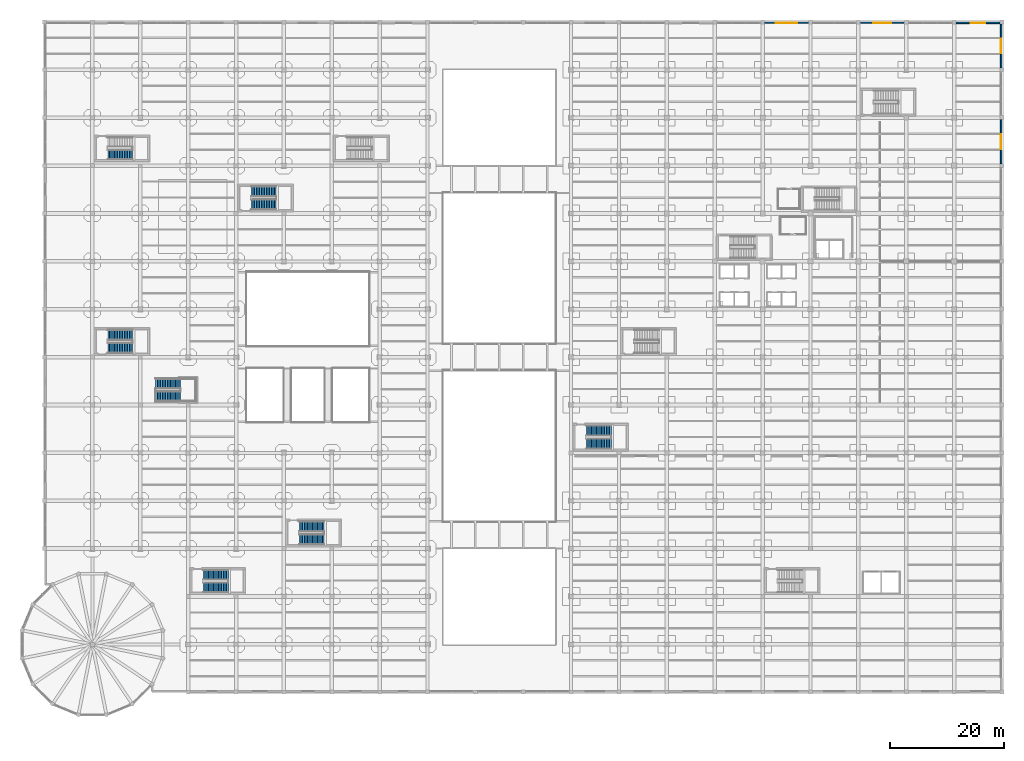
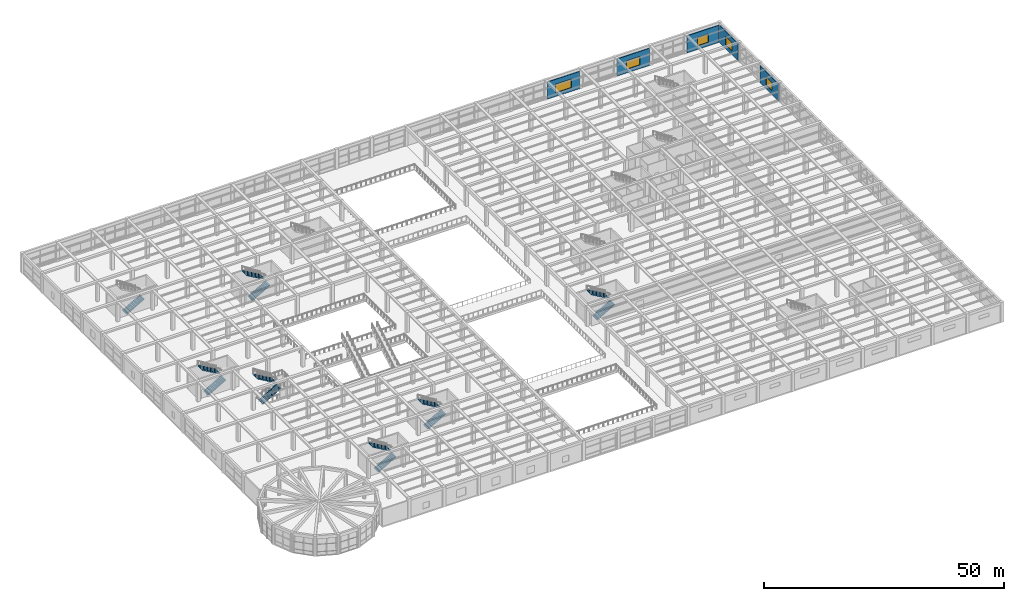
# One storey, part 83 of 95: 13 stair flights, 5 walls, 5 windows, 5 openings, 7 elements without a shape of their own.
"""IFC4 building model written with IfcOpenShell, lengths in metres."""

from ifc_helpers import new_model, si_unit, direction, frame, frame_2d, origin, place, context, subcontext, project, spatial, polyline, rectangle, outline, extrude, material, layer, layer_set, type_object, element, fill, aggregate, save


model = new_model("IFC4")

# Units and contexts
model_context = context("Model", 3, precision=1e-05, world=origin(), true_north=direction((0.0, 1.0)))
body_context = subcontext(model_context, "Body", "Model", "MODEL_VIEW")
ifc_project = project(units=[si_unit("LENGTHUNIT", "METRE"), si_unit("AREAUNIT", "SQUARE_METRE"), si_unit("VOLUMEUNIT", "CUBIC_METRE"), si_unit("PLANEANGLEUNIT", "RADIAN"), si_unit("MASSUNIT", "GRAM", prefix="KILO")], contexts=[model_context])

# Site, building, storey
site_placement = place(None, origin())
site = spatial("IfcSite", under=ifc_project, at=site_placement, CompositionType="ELEMENT")
building_placement = place(site_placement, origin())
building = spatial("IfcBuilding", under=site, at=building_placement, Name="Almacenes y Pasaje Nevantli", CompositionType="ELEMENT")
storey_placement = place(building_placement, frame((0.0, 0.0, 11.39990234375)))
storey = spatial("IfcBuildingStorey", under=building, at=storey_placement, Name="L03", CompositionType="ELEMENT", Elevation=11.39990234375)

# Wall, opening, window
ifc_material_1 = material(Name="Cream Architectural Precast Concrete C35/45 Wall", Category="concrete")
ifc_layer_1 = layer(ifc_material_1, 0.260009765625)
ifc_layer_set_1 = layer_set([ifc_layer_1], Name="Cream Architectural Precast Concrete C35/45 Wall")
wall_type = type_object("IfcWallType", Name="WL-EXT-PRECAST-260", PredefinedType="SOLIDWALL", material=ifc_layer_set_1)
wall_1_placement = place(storey_placement, frame((126.327880859375, 117.449951171875, 0.0), z_axis=(0.0, 0.0, 1.0), x_axis=(1.0, 0.0, 0.0)))
wall_1 = element("IfcWall", 1, at=wall_1_placement, inside=storey, type_object=wall_type, Name="L03 North Boulevard Cantera Spandrel Wall Bay 16", PredefinedType="SOLIDWALL", context=body_context, shape_type="SweptSolid", body=[
    extrude(rectangle(XDim=7.72021484375, YDim=0.260009765625, at=frame_2d((3.860107421875, 0.0))), origin(), (0.0, 0.0, 1.0), 4.380126953125),
])
opening_1_placement = place(wall_1_placement, frame((1.971923828125, 0.0, 0.949951171875)))
opening_1 = element("IfcOpeningElement", 2, at=opening_1_placement, cuts=wall_1, Name="Opening WT-09-096", PredefinedType="OPENING", context=body_context, shape_type="SweptSolid", body=[
    extrude(rectangle(XDim=3.800048828125, YDim=2.199951171875, at=frame_2d((1.89990234375, 1.10009765625))), frame((0.0, 0.139892578125, 0.0), z_axis=(0.0, -1.0, 0.0), x_axis=(1.0, 0.0, 0.0)), (0.0, 0.0, 1.0), 0.280029296875),
])
ifc_material_2 = material(Name="Thermally Broken Aluminium and Low-E Double Glazing", Category="aluminium")
window_type_1 = type_object("IfcWindowType", Name="WN-POD-3800x2200", PartitioningType="SINGLE_PANEL", PredefinedType="WINDOW", material=ifc_material_2)
window_1_placement = place(opening_1_placement, origin())
window_1 = element("IfcWindow", 3, at=window_1_placement, inside=storey, type_object=window_type_1, Name="L03 Exterior Window WT-09 #96", OverallHeight=2.199951171875, OverallWidth=3.800048828125, PartitioningType="SINGLE_PANEL", PredefinedType="WINDOW", context=body_context, shape_type="SweptSolid", body=[
    extrude(rectangle(XDim=3.800048828125, YDim=2.199951171875, at=frame_2d((1.89990234375, 1.10009765625))), frame((0.0, 0.030029296875, 0.0), z_axis=(0.0, -1.0, 0.0), x_axis=(1.0, 0.0, 0.0)), (0.0, 0.0, 1.0), 0.06005859375),
])
fill(opening_1, window_1)

wall_2_placement = place(storey_placement, frame((143.1279296875, 117.449951171875, 0.0), z_axis=(0.0, 0.0, 1.0), x_axis=(1.0, 0.0, 0.0)))
wall_2 = element("IfcWall", 4, at=wall_2_placement, inside=storey, type_object=wall_type, Name="L03 North Boulevard Cantera Spandrel Wall Bay 18", PredefinedType="SOLIDWALL", context=body_context, shape_type="SweptSolid", body=[
    extrude(rectangle(XDim=7.718017578125, YDim=0.260009765625, at=frame_2d((3.85888671875, 0.0))), origin(), (0.0, 0.0, 1.0), 4.380126953125),
])
opening_2_placement = place(wall_2_placement, frame((2.27197265625, 0.0, 0.949951171875)))
opening_2 = element("IfcOpeningElement", 5, at=opening_2_placement, cuts=wall_2, Name="Opening WT-11-097", PredefinedType="OPENING", context=body_context, shape_type="SweptSolid", body=[
    extrude(rectangle(XDim=3.199951171875, YDim=2.14990234375, at=frame_2d((1.60009765625, 1.074951171875))), frame((0.0, 0.139892578125, 0.0), z_axis=(0.0, -1.0, 0.0), x_axis=(1.0, 0.0, 0.0)), (0.0, 0.0, 1.0), 0.280029296875),
])
ifc_material_3 = material(Name="Thermally Broken Aluminium and Low-E Double Glazing", Category="aluminium")
window_type_2 = type_object("IfcWindowType", Name="WN-POD-3200x2150", PartitioningType="SINGLE_PANEL", PredefinedType="WINDOW", material=ifc_material_3)
window_2_placement = place(opening_2_placement, origin())
window_2 = element("IfcWindow", 6, at=window_2_placement, inside=storey, type_object=window_type_2, Name="L03 Exterior Window WT-11 #97", OverallHeight=2.14990234375, OverallWidth=3.199951171875, PartitioningType="SINGLE_PANEL", PredefinedType="WINDOW", context=body_context, shape_type="SweptSolid", body=[
    extrude(rectangle(XDim=3.199951171875, YDim=2.14990234375, at=frame_2d((1.60009765625, 1.074951171875))), frame((0.0, 0.030029296875, 0.0), z_axis=(0.0, -1.0, 0.0), x_axis=(1.0, 0.0, 0.0)), (0.0, 0.0, 1.0), 0.06005859375),
])
fill(opening_2, window_2)

wall_3_placement = place(storey_placement, frame((159.927978515625, 117.449951171875, 0.0), z_axis=(0.0, 0.0, 1.0), x_axis=(1.0, 0.0, 0.0)))
wall_3 = element("IfcWall", 7, at=wall_3_placement, inside=storey, type_object=wall_type, Name="L03 North Boulevard Cantera Spandrel Wall Bay 20", PredefinedType="SOLIDWALL", context=body_context, shape_type="SweptSolid", body=[
    extrude(rectangle(XDim=7.718017578125, YDim=0.260009765625, at=frame_2d((3.85888671875, 0.0))), origin(), (0.0, 0.0, 1.0), 4.380126953125),
])
opening_3_placement = place(wall_3_placement, frame((2.572021484375, 0.0, 0.949951171875)))
opening_3 = element("IfcOpeningElement", 8, at=opening_3_placement, cuts=wall_3, Name="Opening WT-13-098", PredefinedType="OPENING", context=body_context, shape_type="SweptSolid", body=[
    extrude(rectangle(XDim=2.60009765625, YDim=2.10009765625, at=frame_2d((1.300048828125, 1.050048828125))), frame((0.0, 0.139892578125, 0.0), z_axis=(0.0, -1.0, 0.0), x_axis=(1.0, 0.0, 0.0)), (0.0, 0.0, 1.0), 0.280029296875),
])
ifc_material_4 = material(Name="Thermally Broken Aluminium and Low-E Double Glazing", Category="aluminium")
window_type_3 = type_object("IfcWindowType", Name="WN-POD-2600x2100", PartitioningType="SINGLE_PANEL", PredefinedType="WINDOW", material=ifc_material_4)
window_3_placement = place(opening_3_placement, origin())
window_3 = element("IfcWindow", 9, at=window_3_placement, inside=storey, type_object=window_type_3, Name="L03 Exterior Window WT-13 #98", OverallHeight=2.10009765625, OverallWidth=2.60009765625, PartitioningType="SINGLE_PANEL", PredefinedType="WINDOW", context=body_context, shape_type="SweptSolid", body=[
    extrude(rectangle(XDim=2.60009765625, YDim=2.10009765625, at=frame_2d((1.300048828125, 1.050048828125))), frame((0.0, 0.030029296875, 0.0), z_axis=(0.0, -1.0, 0.0), x_axis=(1.0, 0.0, 0.0)), (0.0, 0.0, 1.0), 0.06005859375),
])
fill(opening_3, window_3)

wall_4_placement = place(storey_placement, frame((167.85009765625, 92.72802734375, 0.0), z_axis=(0.0, 0.0, 1.0), x_axis=(0.0, 1.0, 0.0)))
wall_4 = element("IfcWall", 10, at=wall_4_placement, inside=storey, type_object=wall_type, Name="L03 East Facade Wall Bay 12", PredefinedType="SOLIDWALL", context=body_context, shape_type="SweptSolid", body=[
    extrude(rectangle(XDim=7.719970703125, YDim=0.260009765625, at=frame_2d((3.85986328125, 0.0))), origin(), (0.0, 0.0, 1.0), 4.380126953125),
])
opening_4_placement = place(wall_4_placement, frame((2.572021484375, 0.0, 1.0)))
opening_4 = element("IfcOpeningElement", 11, at=opening_4_placement, cuts=wall_4, Name="Opening WT-13-126", PredefinedType="OPENING", context=body_context, shape_type="SweptSolid", body=[
    extrude(rectangle(XDim=2.60009765625, YDim=2.10009765625, at=frame_2d((1.300048828125, 1.050048828125))), frame((0.0, 0.139892578125, 0.0), z_axis=(0.0, -1.0, 0.0), x_axis=(1.0, 0.0, 0.0)), (0.0, 0.0, 1.0), 0.280029296875),
])
window_4_placement = place(opening_4_placement, origin())
window_4 = element("IfcWindow", 12, at=window_4_placement, inside=storey, type_object=window_type_3, Name="L03 Exterior Window WT-13 #126", OverallHeight=2.10009765625, OverallWidth=2.60009765625, PartitioningType="SINGLE_PANEL", PredefinedType="WINDOW", context=body_context, shape_type="SweptSolid", body=[
    extrude(rectangle(XDim=2.60009765625, YDim=2.10009765625, at=frame_2d((1.300048828125, 1.050048828125))), frame((0.0, 0.030029296875, 0.0), z_axis=(0.0, -1.0, 0.0), x_axis=(1.0, 0.0, 0.0)), (0.0, 0.0, 1.0), 0.06005859375),
])
fill(opening_4, window_4)

wall_5_placement = place(storey_placement, frame((167.85009765625, 109.528076171875, 0.0), z_axis=(0.0, 0.0, 1.0), x_axis=(0.0, 1.0, 0.0)))
wall_5 = element("IfcWall", 13, at=wall_5_placement, inside=storey, type_object=wall_type, Name="L03 East Facade Wall Bay 14", PredefinedType="SOLIDWALL", context=body_context, shape_type="SweptSolid", body=[
    extrude(rectangle(XDim=7.718017578125, YDim=0.260009765625, at=frame_2d((3.85888671875, 0.0))), origin(), (0.0, 0.0, 1.0), 4.380126953125),
])
opening_5_placement = place(wall_5_placement, frame((2.572021484375, 0.0, 1.0)))
opening_5 = element("IfcOpeningElement", 14, at=opening_5_placement, cuts=wall_5, Name="Opening WT-13-127", PredefinedType="OPENING", context=body_context, shape_type="SweptSolid", body=[
    extrude(rectangle(XDim=2.60009765625, YDim=2.10009765625, at=frame_2d((1.300048828125, 1.050048828125))), frame((0.0, 0.139892578125, 0.0), z_axis=(0.0, -1.0, 0.0), x_axis=(1.0, 0.0, 0.0)), (0.0, 0.0, 1.0), 0.280029296875),
])
window_5_placement = place(opening_5_placement, origin())
window_5 = element("IfcWindow", 15, at=window_5_placement, inside=storey, type_object=window_type_3, Name="L03 Exterior Window WT-13 #127", OverallHeight=2.10009765625, OverallWidth=2.60009765625, PartitioningType="SINGLE_PANEL", PredefinedType="WINDOW", context=body_context, shape_type="SweptSolid", body=[
    extrude(rectangle(XDim=2.60009765625, YDim=2.10009765625, at=frame_2d((1.300048828125, 1.050048828125))), frame((0.0, 0.030029296875, 0.0), z_axis=(0.0, -1.0, 0.0), x_axis=(1.0, 0.0, 0.0)), (0.0, 0.0, 1.0), 0.06005859375),
])
fill(opening_5, window_5)

# Stair, stair flight
ifc_material_5 = material(Name="Concrete C35/45", Category="concrete")
stair_type_1 = type_object("IfcStairType", Name="STR-CORE-1750", PredefinedType="HALF_TURN_STAIR", material=ifc_material_5)
stair_1_placement = place(storey_placement, origin())
stair_1 = element("IfcStair", 16, at=stair_1_placement, inside=storey, type_object=stair_type_1, Name="L03 Staircase ST-03", PredefinedType="HALF_TURN_STAIR")
ifc_material_6 = material(Name="Concrete C35/45", Category="concrete")
ifc_layer_2 = layer(ifc_material_6, 0.199951171875)
ifc_layer_set_2 = layer_set([ifc_layer_2], Name="Concrete C35/45")
stair_flight_type = type_object("IfcStairFlightType", Name="SFL-RC-200", PredefinedType="STRAIGHT", material=ifc_layer_set_2)
stair_flight_1_placement = place(storey_placement, frame((11.10009765625, 94.324951171875, 0.0), z_axis=(0.0, 0.0, 1.0), x_axis=(1.0, 0.0, 0.0)))
stair_flight_1 = element("IfcStairFlight", 17, at=stair_flight_1_placement, type_object=stair_flight_type, Name="ST-03-L03 flight 1", NumberOfRisers=16, NumberOfTreads=15, PredefinedType="STRAIGHT", RiserHeight=0.16875, TreadLength=0.29, context=body_context, shape_type="SweptSolid", body=[
    extrude(outline(polyline([(0.0, 0.0), (0.0, 0.168701171875), (0.2900390625, 0.168701171875), (0.2900390625, 0.33740234375), (0.580078125, 0.33740234375), (0.580078125, 0.50634765625), (0.8701171875, 0.50634765625), (0.8701171875, 0.675048828125), (1.159912109375, 0.675048828125), (1.159912109375, 0.84375), (1.449951171875, 0.84375), (1.449951171875, 1.012451171875), (1.739990234375, 1.012451171875), (1.739990234375, 1.18115234375), (2.030029296875, 1.18115234375), (2.030029296875, 1.35009765625), (2.320068359375, 1.35009765625), (2.320068359375, 1.518798828125), (2.610107421875, 1.518798828125), (2.610107421875, 1.6875), (2.89990234375, 1.6875), (2.89990234375, 1.856201171875), (3.18994140625, 1.856201171875), (3.18994140625, 2.02490234375), (3.47998046875, 2.02490234375), (3.47998046875, 2.19384765625), (3.77001953125, 2.19384765625), (3.77001953125, 2.362548828125), (4.06005859375, 2.362548828125), (4.06005859375, 2.53125), (4.35009765625, 2.53125), (4.35009765625, 2.699951171875), (4.35009765625, 2.2998046875), (0.3974609375, 0.0), (0.0, 0.0)])), frame((0.0, 0.875, 0.0), z_axis=(0.0, -1.0, 0.0), x_axis=(1.0, 0.0, 0.0)), (0.0, 0.0, 1.0), 1.75),
])
aggregate(stair_1, [stair_flight_1])

# Stair, stair flights
stair_2_placement = place(storey_placement, origin())
stair_2 = element("IfcStair", 18, at=stair_2_placement, inside=storey, type_object=stair_type_1, Name="L03 Staircase ST-04", PredefinedType="HALF_TURN_STAIR")
stair_flight_2_placement = place(storey_placement, frame((27.89990234375, 18.375, 0.0), z_axis=(0.0, 0.0, 1.0), x_axis=(1.0, 0.0, 0.0)))
stair_flight_2 = element("IfcStairFlight", 19, at=stair_flight_2_placement, type_object=stair_flight_type, Name="ST-04-L03 flight 1", NumberOfRisers=16, NumberOfTreads=15, PredefinedType="STRAIGHT", RiserHeight=0.16875, TreadLength=0.29, context=body_context, shape_type="SweptSolid", body=[
    extrude(outline(polyline([(0.0, 0.0), (0.0, 0.168701171875), (0.2900390625, 0.168701171875), (0.2900390625, 0.33740234375), (0.580078125, 0.33740234375), (0.580078125, 0.50634765625), (0.8701171875, 0.50634765625), (0.8701171875, 0.675048828125), (1.159912109375, 0.675048828125), (1.159912109375, 0.84375), (1.449951171875, 0.84375), (1.449951171875, 1.012451171875), (1.739990234375, 1.012451171875), (1.739990234375, 1.18115234375), (2.030029296875, 1.18115234375), (2.030029296875, 1.35009765625), (2.320068359375, 1.35009765625), (2.320068359375, 1.518798828125), (2.610107421875, 1.518798828125), (2.610107421875, 1.6875), (2.89990234375, 1.6875), (2.89990234375, 1.856201171875), (3.18994140625, 1.856201171875), (3.18994140625, 2.02490234375), (3.47998046875, 2.02490234375), (3.47998046875, 2.19384765625), (3.77001953125, 2.19384765625), (3.77001953125, 2.362548828125), (4.06005859375, 2.362548828125), (4.06005859375, 2.53125), (4.35009765625, 2.53125), (4.35009765625, 2.699951171875), (4.35009765625, 2.2998046875), (0.3974609375, 0.0), (0.0, 0.0)])), frame((0.0, 0.875, 0.0), z_axis=(0.0, -1.0, 0.0), x_axis=(1.0, 0.0, 0.0)), (0.0, 0.0, 1.0), 1.75),
])
stair_flight_3_placement = place(storey_placement, frame((32.25, 20.574951171875, 2.7001953125), z_axis=(0.0, 0.0, 1.0), x_axis=(-1.0, 0.0, 0.0)))
stair_flight_3 = element("IfcStairFlight", 20, at=stair_flight_3_placement, type_object=stair_flight_type, Name="ST-04-L03 flight 2", NumberOfRisers=16, NumberOfTreads=15, PredefinedType="STRAIGHT", RiserHeight=0.16875, TreadLength=0.29, context=body_context, shape_type="SweptSolid", body=[
    extrude(outline(polyline([(0.0, 0.0), (0.0, 0.168701171875), (0.2900390625, 0.168701171875), (0.2900390625, 0.33740234375), (0.580078125, 0.33740234375), (0.580078125, 0.50634765625), (0.8701171875, 0.50634765625), (0.8701171875, 0.675048828125), (1.159912109375, 0.675048828125), (1.159912109375, 0.84375), (1.449951171875, 0.84375), (1.449951171875, 1.012451171875), (1.739990234375, 1.012451171875), (1.739990234375, 1.18115234375), (2.030029296875, 1.18115234375), (2.030029296875, 1.35009765625), (2.320068359375, 1.35009765625), (2.320068359375, 1.518798828125), (2.610107421875, 1.518798828125), (2.610107421875, 1.6875), (2.89990234375, 1.6875), (2.89990234375, 1.856201171875), (3.18994140625, 1.856201171875), (3.18994140625, 2.02490234375), (3.47998046875, 2.02490234375), (3.47998046875, 2.19384765625), (3.77001953125, 2.19384765625), (3.77001953125, 2.362548828125), (4.06005859375, 2.362548828125), (4.06005859375, 2.53125), (4.35009765625, 2.53125), (4.35009765625, 2.699951171875), (4.35009765625, 2.2998046875), (0.3974609375, 0.0), (0.0, 0.0)])), frame((0.0, 0.875, 0.0), z_axis=(0.0, -1.0, 0.0), x_axis=(1.0, 0.0, 0.0)), (0.0, 0.0, 1.0), 1.75),
])
aggregate(stair_2, [stair_flight_2, stair_flight_3])

ifc_material_7 = material(Name="Concrete C35/45", Category="concrete")
stair_type_2 = type_object("IfcStairType", Name="STR-CORE-1850", PredefinedType="HALF_TURN_STAIR", material=ifc_material_7)
stair_3_placement = place(storey_placement, origin())
stair_3 = element("IfcStair", 21, at=stair_3_placement, inside=storey, type_object=stair_type_2, Name="L03 Staircase ST-08", PredefinedType="HALF_TURN_STAIR")
stair_flight_4_placement = place(storey_placement, frame((95.10009765625, 43.574951171875, 0.0), z_axis=(0.0, 0.0, 1.0), x_axis=(1.0, 0.0, 0.0)))
stair_flight_4 = element("IfcStairFlight", 22, at=stair_flight_4_placement, type_object=stair_flight_type, Name="ST-08-L03 flight 1", NumberOfRisers=16, NumberOfTreads=15, PredefinedType="STRAIGHT", RiserHeight=0.16875, TreadLength=0.29, context=body_context, shape_type="SweptSolid", body=[
    extrude(outline(polyline([(0.0, 0.0), (0.0, 0.168701171875), (0.2900390625, 0.168701171875), (0.2900390625, 0.33740234375), (0.580078125, 0.33740234375), (0.580078125, 0.50634765625), (0.8701171875, 0.50634765625), (0.8701171875, 0.675048828125), (1.159912109375, 0.675048828125), (1.159912109375, 0.84375), (1.449951171875, 0.84375), (1.449951171875, 1.012451171875), (1.739990234375, 1.012451171875), (1.739990234375, 1.18115234375), (2.030029296875, 1.18115234375), (2.030029296875, 1.35009765625), (2.320068359375, 1.35009765625), (2.320068359375, 1.518798828125), (2.610107421875, 1.518798828125), (2.610107421875, 1.6875), (2.89990234375, 1.6875), (2.89990234375, 1.856201171875), (3.18994140625, 1.856201171875), (3.18994140625, 2.02490234375), (3.47998046875, 2.02490234375), (3.47998046875, 2.19384765625), (3.77001953125, 2.19384765625), (3.77001953125, 2.362548828125), (4.06005859375, 2.362548828125), (4.06005859375, 2.53125), (4.35009765625, 2.53125), (4.35009765625, 2.699951171875), (4.35009765625, 2.2998046875), (0.3974609375, 0.0), (0.0, 0.0)])), frame((0.0, 0.925048828125, 0.0), z_axis=(0.0, -1.0, 0.0), x_axis=(1.0, 0.0, 0.0)), (0.0, 0.0, 1.0), 1.85009765625),
])
stair_flight_5_placement = place(storey_placement, frame((99.449951171875, 45.875, 2.7001953125), z_axis=(0.0, 0.0, 1.0), x_axis=(-1.0, 0.0, 0.0)))
stair_flight_5 = element("IfcStairFlight", 23, at=stair_flight_5_placement, type_object=stair_flight_type, Name="ST-08-L03 flight 2", NumberOfRisers=16, NumberOfTreads=15, PredefinedType="STRAIGHT", RiserHeight=0.16875, TreadLength=0.29, context=body_context, shape_type="SweptSolid", body=[
    extrude(outline(polyline([(0.0, 0.0), (0.0, 0.168701171875), (0.2900390625, 0.168701171875), (0.2900390625, 0.33740234375), (0.580078125, 0.33740234375), (0.580078125, 0.50634765625), (0.8701171875, 0.50634765625), (0.8701171875, 0.675048828125), (1.159912109375, 0.675048828125), (1.159912109375, 0.84375), (1.449951171875, 0.84375), (1.449951171875, 1.012451171875), (1.739990234375, 1.012451171875), (1.739990234375, 1.18115234375), (2.030029296875, 1.18115234375), (2.030029296875, 1.35009765625), (2.320068359375, 1.35009765625), (2.320068359375, 1.518798828125), (2.610107421875, 1.518798828125), (2.610107421875, 1.6875), (2.89990234375, 1.6875), (2.89990234375, 1.856201171875), (3.18994140625, 1.856201171875), (3.18994140625, 2.02490234375), (3.47998046875, 2.02490234375), (3.47998046875, 2.19384765625), (3.77001953125, 2.19384765625), (3.77001953125, 2.362548828125), (4.06005859375, 2.362548828125), (4.06005859375, 2.53125), (4.35009765625, 2.53125), (4.35009765625, 2.699951171875), (4.35009765625, 2.2998046875), (0.3974609375, 0.0), (0.0, 0.0)])), frame((0.0, 0.925048828125, 0.0), z_axis=(0.0, -1.0, 0.0), x_axis=(1.0, 0.0, 0.0)), (0.0, 0.0, 1.0), 1.85009765625),
])
aggregate(stair_3, [stair_flight_4, stair_flight_5])

stair_4_placement = place(storey_placement, origin())
stair_4 = element("IfcStair", 24, at=stair_4_placement, inside=storey, type_object=stair_type_2, Name="L03 Staircase ST-12", PredefinedType="HALF_TURN_STAIR")
stair_flight_6_placement = place(storey_placement, frame((11.10009765625, 60.375, 0.0), z_axis=(0.0, 0.0, 1.0), x_axis=(1.0, 0.0, 0.0)))
stair_flight_6 = element("IfcStairFlight", 25, at=stair_flight_6_placement, type_object=stair_flight_type, Name="ST-12-L03 flight 1", NumberOfRisers=16, NumberOfTreads=15, PredefinedType="STRAIGHT", RiserHeight=0.16875, TreadLength=0.29, context=body_context, shape_type="SweptSolid", body=[
    extrude(outline(polyline([(0.0, 0.0), (0.0, 0.168701171875), (0.2900390625, 0.168701171875), (0.2900390625, 0.33740234375), (0.580078125, 0.33740234375), (0.580078125, 0.50634765625), (0.8701171875, 0.50634765625), (0.8701171875, 0.675048828125), (1.159912109375, 0.675048828125), (1.159912109375, 0.84375), (1.449951171875, 0.84375), (1.449951171875, 1.012451171875), (1.739990234375, 1.012451171875), (1.739990234375, 1.18115234375), (2.030029296875, 1.18115234375), (2.030029296875, 1.35009765625), (2.320068359375, 1.35009765625), (2.320068359375, 1.518798828125), (2.610107421875, 1.518798828125), (2.610107421875, 1.6875), (2.89990234375, 1.6875), (2.89990234375, 1.856201171875), (3.18994140625, 1.856201171875), (3.18994140625, 2.02490234375), (3.47998046875, 2.02490234375), (3.47998046875, 2.19384765625), (3.77001953125, 2.19384765625), (3.77001953125, 2.362548828125), (4.06005859375, 2.362548828125), (4.06005859375, 2.53125), (4.35009765625, 2.53125), (4.35009765625, 2.699951171875), (4.35009765625, 2.2998046875), (0.3974609375, 0.0), (0.0, 0.0)])), frame((0.0, 0.925048828125, 0.0), z_axis=(0.0, -1.0, 0.0), x_axis=(1.0, 0.0, 0.0)), (0.0, 0.0, 1.0), 1.85009765625),
])
stair_flight_7_placement = place(storey_placement, frame((15.449951171875, 62.675048828125, 2.7001953125), z_axis=(0.0, 0.0, 1.0), x_axis=(-1.0, 0.0, 0.0)))
stair_flight_7 = element("IfcStairFlight", 26, at=stair_flight_7_placement, type_object=stair_flight_type, Name="ST-12-L03 flight 2", NumberOfRisers=16, NumberOfTreads=15, PredefinedType="STRAIGHT", RiserHeight=0.16875, TreadLength=0.29, context=body_context, shape_type="SweptSolid", body=[
    extrude(outline(polyline([(0.0, 0.0), (0.0, 0.168701171875), (0.2900390625, 0.168701171875), (0.2900390625, 0.33740234375), (0.580078125, 0.33740234375), (0.580078125, 0.50634765625), (0.8701171875, 0.50634765625), (0.8701171875, 0.675048828125), (1.159912109375, 0.675048828125), (1.159912109375, 0.84375), (1.449951171875, 0.84375), (1.449951171875, 1.012451171875), (1.739990234375, 1.012451171875), (1.739990234375, 1.18115234375), (2.030029296875, 1.18115234375), (2.030029296875, 1.35009765625), (2.320068359375, 1.35009765625), (2.320068359375, 1.518798828125), (2.610107421875, 1.518798828125), (2.610107421875, 1.6875), (2.89990234375, 1.6875), (2.89990234375, 1.856201171875), (3.18994140625, 1.856201171875), (3.18994140625, 2.02490234375), (3.47998046875, 2.02490234375), (3.47998046875, 2.19384765625), (3.77001953125, 2.19384765625), (3.77001953125, 2.362548828125), (4.06005859375, 2.362548828125), (4.06005859375, 2.53125), (4.35009765625, 2.53125), (4.35009765625, 2.699951171875), (4.35009765625, 2.2998046875), (0.3974609375, 0.0), (0.0, 0.0)])), frame((0.0, 0.925048828125, 0.0), z_axis=(0.0, -1.0, 0.0), x_axis=(1.0, 0.0, 0.0)), (0.0, 0.0, 1.0), 1.85009765625),
])
aggregate(stair_4, [stair_flight_6, stair_flight_7])

stair_5_placement = place(storey_placement, origin())
stair_5 = element("IfcStair", 27, at=stair_5_placement, inside=storey, type_object=stair_type_2, Name="L03 Staircase ST-14", PredefinedType="HALF_TURN_STAIR")
stair_flight_8_placement = place(storey_placement, frame((44.699951171875, 26.77490234375, 0.0), z_axis=(0.0, 0.0, 1.0), x_axis=(1.0, 0.0, 0.0)))
stair_flight_8 = element("IfcStairFlight", 28, at=stair_flight_8_placement, type_object=stair_flight_type, Name="ST-14-L03 flight 1", NumberOfRisers=16, NumberOfTreads=15, PredefinedType="STRAIGHT", RiserHeight=0.16875, TreadLength=0.29, context=body_context, shape_type="SweptSolid", body=[
    extrude(outline(polyline([(0.0, 0.0), (0.0, 0.168701171875), (0.2900390625, 0.168701171875), (0.2900390625, 0.33740234375), (0.580078125, 0.33740234375), (0.580078125, 0.50634765625), (0.8701171875, 0.50634765625), (0.8701171875, 0.675048828125), (1.159912109375, 0.675048828125), (1.159912109375, 0.84375), (1.449951171875, 0.84375), (1.449951171875, 1.012451171875), (1.739990234375, 1.012451171875), (1.739990234375, 1.18115234375), (2.030029296875, 1.18115234375), (2.030029296875, 1.35009765625), (2.320068359375, 1.35009765625), (2.320068359375, 1.518798828125), (2.610107421875, 1.518798828125), (2.610107421875, 1.6875), (2.89990234375, 1.6875), (2.89990234375, 1.856201171875), (3.18994140625, 1.856201171875), (3.18994140625, 2.02490234375), (3.47998046875, 2.02490234375), (3.47998046875, 2.19384765625), (3.77001953125, 2.19384765625), (3.77001953125, 2.362548828125), (4.06005859375, 2.362548828125), (4.06005859375, 2.53125), (4.35009765625, 2.53125), (4.35009765625, 2.699951171875), (4.35009765625, 2.2998046875), (0.3974609375, 0.0), (0.0, 0.0)])), frame((0.0, 0.925048828125, 0.0), z_axis=(0.0, -1.0, 0.0), x_axis=(1.0, 0.0, 0.0)), (0.0, 0.0, 1.0), 1.85009765625),
])
stair_flight_9_placement = place(storey_placement, frame((49.050048828125, 29.074951171875, 2.7001953125), z_axis=(0.0, 0.0, 1.0), x_axis=(-1.0, 0.0, 0.0)))
stair_flight_9 = element("IfcStairFlight", 29, at=stair_flight_9_placement, type_object=stair_flight_type, Name="ST-14-L03 flight 2", NumberOfRisers=16, NumberOfTreads=15, PredefinedType="STRAIGHT", RiserHeight=0.16875, TreadLength=0.29, context=body_context, shape_type="SweptSolid", body=[
    extrude(outline(polyline([(0.0, 0.0), (0.0, 0.168701171875), (0.2900390625, 0.168701171875), (0.2900390625, 0.33740234375), (0.580078125, 0.33740234375), (0.580078125, 0.50634765625), (0.8701171875, 0.50634765625), (0.8701171875, 0.675048828125), (1.159912109375, 0.675048828125), (1.159912109375, 0.84375), (1.449951171875, 0.84375), (1.449951171875, 1.012451171875), (1.739990234375, 1.012451171875), (1.739990234375, 1.18115234375), (2.030029296875, 1.18115234375), (2.030029296875, 1.35009765625), (2.320068359375, 1.35009765625), (2.320068359375, 1.518798828125), (2.610107421875, 1.518798828125), (2.610107421875, 1.6875), (2.89990234375, 1.6875), (2.89990234375, 1.856201171875), (3.18994140625, 1.856201171875), (3.18994140625, 2.02490234375), (3.47998046875, 2.02490234375), (3.47998046875, 2.19384765625), (3.77001953125, 2.19384765625), (3.77001953125, 2.362548828125), (4.06005859375, 2.362548828125), (4.06005859375, 2.53125), (4.35009765625, 2.53125), (4.35009765625, 2.699951171875), (4.35009765625, 2.2998046875), (0.3974609375, 0.0), (0.0, 0.0)])), frame((0.0, 0.925048828125, 0.0), z_axis=(0.0, -1.0, 0.0), x_axis=(1.0, 0.0, 0.0)), (0.0, 0.0, 1.0), 1.85009765625),
])
aggregate(stair_5, [stair_flight_8, stair_flight_9])

stair_6_placement = place(storey_placement, origin())
stair_6 = element("IfcStair", 30, at=stair_6_placement, inside=storey, type_object=stair_type_2, Name="L03 Staircase ST-15", PredefinedType="HALF_TURN_STAIR")
stair_flight_10_placement = place(storey_placement, frame((36.300048828125, 85.574951171875, 0.0), z_axis=(0.0, 0.0, 1.0), x_axis=(1.0, 0.0, 0.0)))
stair_flight_10 = element("IfcStairFlight", 31, at=stair_flight_10_placement, type_object=stair_flight_type, Name="ST-15-L03 flight 1", NumberOfRisers=16, NumberOfTreads=15, PredefinedType="STRAIGHT", RiserHeight=0.16875, TreadLength=0.29, context=body_context, shape_type="SweptSolid", body=[
    extrude(outline(polyline([(0.0, 0.0), (0.0, 0.168701171875), (0.2900390625, 0.168701171875), (0.2900390625, 0.33740234375), (0.580078125, 0.33740234375), (0.580078125, 0.50634765625), (0.8701171875, 0.50634765625), (0.8701171875, 0.675048828125), (1.159912109375, 0.675048828125), (1.159912109375, 0.84375), (1.449951171875, 0.84375), (1.449951171875, 1.012451171875), (1.739990234375, 1.012451171875), (1.739990234375, 1.18115234375), (2.030029296875, 1.18115234375), (2.030029296875, 1.35009765625), (2.320068359375, 1.35009765625), (2.320068359375, 1.518798828125), (2.610107421875, 1.518798828125), (2.610107421875, 1.6875), (2.89990234375, 1.6875), (2.89990234375, 1.856201171875), (3.18994140625, 1.856201171875), (3.18994140625, 2.02490234375), (3.47998046875, 2.02490234375), (3.47998046875, 2.19384765625), (3.77001953125, 2.19384765625), (3.77001953125, 2.362548828125), (4.06005859375, 2.362548828125), (4.06005859375, 2.53125), (4.35009765625, 2.53125), (4.35009765625, 2.699951171875), (4.35009765625, 2.2998046875), (0.3974609375, 0.0), (0.0, 0.0)])), frame((0.0, 0.925048828125, 0.0), z_axis=(0.0, -1.0, 0.0), x_axis=(1.0, 0.0, 0.0)), (0.0, 0.0, 1.0), 1.85009765625),
])
stair_flight_11_placement = place(storey_placement, frame((40.64990234375, 87.875, 2.7001953125), z_axis=(0.0, 0.0, 1.0), x_axis=(-1.0, 0.0, 0.0)))
stair_flight_11 = element("IfcStairFlight", 32, at=stair_flight_11_placement, type_object=stair_flight_type, Name="ST-15-L03 flight 2", NumberOfRisers=16, NumberOfTreads=15, PredefinedType="STRAIGHT", RiserHeight=0.16875, TreadLength=0.29, context=body_context, shape_type="SweptSolid", body=[
    extrude(outline(polyline([(0.0, 0.0), (0.0, 0.168701171875), (0.2900390625, 0.168701171875), (0.2900390625, 0.33740234375), (0.580078125, 0.33740234375), (0.580078125, 0.50634765625), (0.8701171875, 0.50634765625), (0.8701171875, 0.675048828125), (1.159912109375, 0.675048828125), (1.159912109375, 0.84375), (1.449951171875, 0.84375), (1.449951171875, 1.012451171875), (1.739990234375, 1.012451171875), (1.739990234375, 1.18115234375), (2.030029296875, 1.18115234375), (2.030029296875, 1.35009765625), (2.320068359375, 1.35009765625), (2.320068359375, 1.518798828125), (2.610107421875, 1.518798828125), (2.610107421875, 1.6875), (2.89990234375, 1.6875), (2.89990234375, 1.856201171875), (3.18994140625, 1.856201171875), (3.18994140625, 2.02490234375), (3.47998046875, 2.02490234375), (3.47998046875, 2.19384765625), (3.77001953125, 2.19384765625), (3.77001953125, 2.362548828125), (4.06005859375, 2.362548828125), (4.06005859375, 2.53125), (4.35009765625, 2.53125), (4.35009765625, 2.699951171875), (4.35009765625, 2.2998046875), (0.3974609375, 0.0), (0.0, 0.0)])), frame((0.0, 0.925048828125, 0.0), z_axis=(0.0, -1.0, 0.0), x_axis=(1.0, 0.0, 0.0)), (0.0, 0.0, 1.0), 1.85009765625),
])
aggregate(stair_6, [stair_flight_10, stair_flight_11])

ifc_material_8 = material(Name="Concrete C35/45", Category="concrete")
stair_type_3 = type_object("IfcStairType", Name="STR-FEAT-1750", PredefinedType="HALF_TURN_STAIR", material=ifc_material_8)
stair_7_placement = place(storey_placement, origin())
stair_7 = element("IfcStair", 33, at=stair_7_placement, inside=storey, type_object=stair_type_3, Name="L03 Staircase ST-11", PredefinedType="HALF_TURN_STAIR")
stair_flight_12_placement = place(storey_placement, frame((19.5, 51.925048828125, 0.0), z_axis=(0.0, 0.0, 1.0), x_axis=(1.0, 0.0, 0.0)))
stair_flight_12 = element("IfcStairFlight", 34, at=stair_flight_12_placement, type_object=stair_flight_type, Name="ST-11-L03 flight 1", NumberOfRisers=16, NumberOfTreads=15, PredefinedType="STRAIGHT", RiserHeight=0.16875, TreadLength=0.29, context=body_context, shape_type="SweptSolid", body=[
    extrude(outline(polyline([(0.0, 0.0), (0.0, 0.168701171875), (0.2900390625, 0.168701171875), (0.2900390625, 0.33740234375), (0.580078125, 0.33740234375), (0.580078125, 0.50634765625), (0.8701171875, 0.50634765625), (0.8701171875, 0.675048828125), (1.159912109375, 0.675048828125), (1.159912109375, 0.84375), (1.449951171875, 0.84375), (1.449951171875, 1.012451171875), (1.739990234375, 1.012451171875), (1.739990234375, 1.18115234375), (2.030029296875, 1.18115234375), (2.030029296875, 1.35009765625), (2.320068359375, 1.35009765625), (2.320068359375, 1.518798828125), (2.610107421875, 1.518798828125), (2.610107421875, 1.6875), (2.89990234375, 1.6875), (2.89990234375, 1.856201171875), (3.18994140625, 1.856201171875), (3.18994140625, 2.02490234375), (3.47998046875, 2.02490234375), (3.47998046875, 2.19384765625), (3.77001953125, 2.19384765625), (3.77001953125, 2.362548828125), (4.06005859375, 2.362548828125), (4.06005859375, 2.53125), (4.35009765625, 2.53125), (4.35009765625, 2.699951171875), (4.35009765625, 2.2998046875), (0.3974609375, 0.0), (0.0, 0.0)])), frame((0.0, 0.875, 0.0), z_axis=(0.0, -1.0, 0.0), x_axis=(1.0, 0.0, 0.0)), (0.0, 0.0, 1.0), 1.75),
])
stair_flight_13_placement = place(storey_placement, frame((23.85009765625, 54.125, 2.7001953125), z_axis=(0.0, 0.0, 1.0), x_axis=(-1.0, 0.0, 0.0)))
stair_flight_13 = element("IfcStairFlight", 35, at=stair_flight_13_placement, type_object=stair_flight_type, Name="ST-11-L03 flight 2", NumberOfRisers=16, NumberOfTreads=15, PredefinedType="STRAIGHT", RiserHeight=0.16875, TreadLength=0.29, context=body_context, shape_type="SweptSolid", body=[
    extrude(outline(polyline([(0.0, 0.0), (0.0, 0.168701171875), (0.2900390625, 0.168701171875), (0.2900390625, 0.33740234375), (0.580078125, 0.33740234375), (0.580078125, 0.50634765625), (0.8701171875, 0.50634765625), (0.8701171875, 0.675048828125), (1.159912109375, 0.675048828125), (1.159912109375, 0.84375), (1.449951171875, 0.84375), (1.449951171875, 1.012451171875), (1.739990234375, 1.012451171875), (1.739990234375, 1.18115234375), (2.030029296875, 1.18115234375), (2.030029296875, 1.35009765625), (2.320068359375, 1.35009765625), (2.320068359375, 1.518798828125), (2.610107421875, 1.518798828125), (2.610107421875, 1.6875), (2.89990234375, 1.6875), (2.89990234375, 1.856201171875), (3.18994140625, 1.856201171875), (3.18994140625, 2.02490234375), (3.47998046875, 2.02490234375), (3.47998046875, 2.19384765625), (3.77001953125, 2.19384765625), (3.77001953125, 2.362548828125), (4.06005859375, 2.362548828125), (4.06005859375, 2.53125), (4.35009765625, 2.53125), (4.35009765625, 2.699951171875), (4.35009765625, 2.2998046875), (0.3974609375, 0.0), (0.0, 0.0)])), frame((0.0, 0.875, 0.0), z_axis=(0.0, -1.0, 0.0), x_axis=(1.0, 0.0, 0.0)), (0.0, 0.0, 1.0), 1.75),
])
aggregate(stair_7, [stair_flight_12, stair_flight_13])

save(model, "model.ifc")
